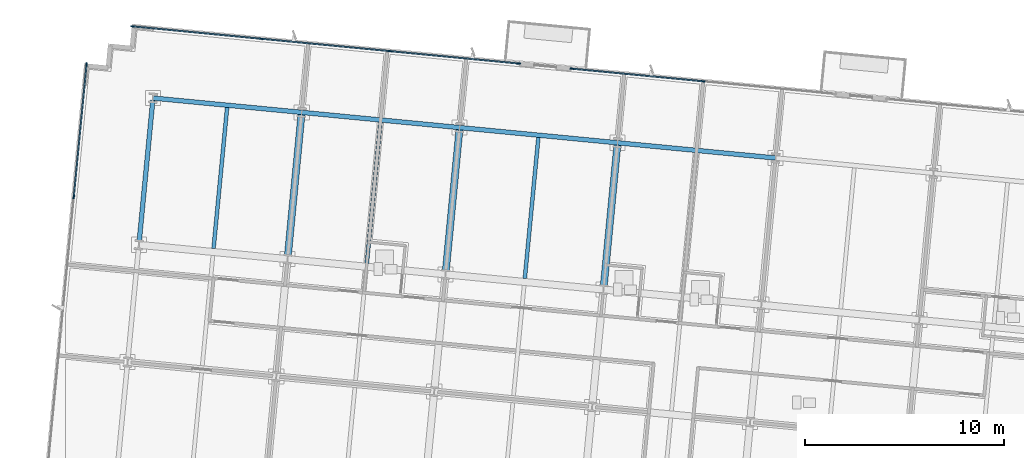
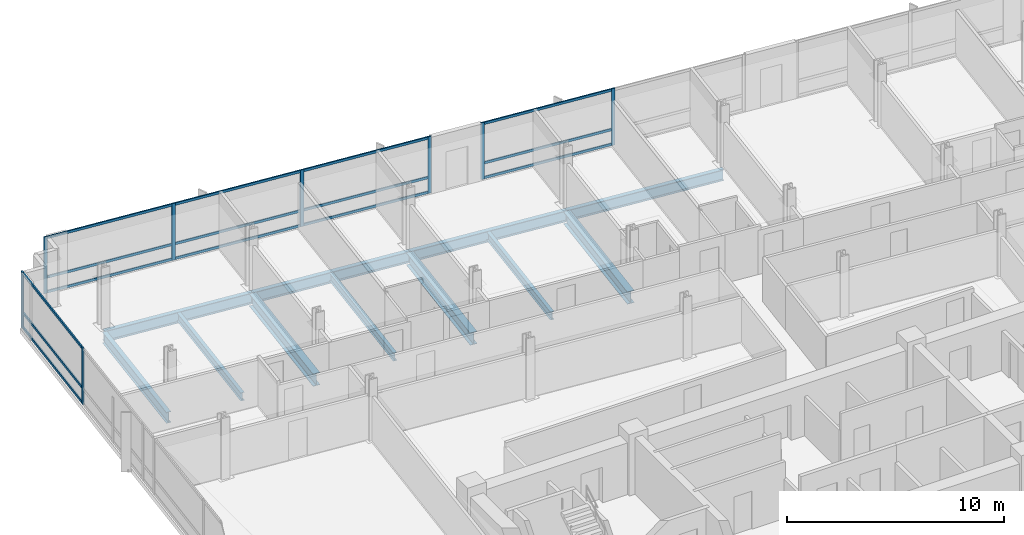
# One storey, part 7 of 17: 23 members, 11 beams, 3 elements without a shape of their own.
"""IFC4 building model written with IfcOpenShell, lengths in metres."""

import ifcopenshell
import ifcopenshell.guid

model = None  # the IFC model being written
_history = None  # IfcOwnerHistory: only IFC2X3 demands one
_inside = {}  # id of a spatial element -> (the spatial element, [elements in it])
_under = {}  # id of a project, library or spatial element -> (it, [spatial elements below it])
_declared = {}  # id of a project -> (the project, [libraries it declares])
_typed = {}  # id of a type object -> (the type object, [elements of that type])
_made_of = {}  # id of a material, layer set ... -> (it, [elements and type objects made of it])


def new_model(schema):
    """Start an empty IFC model of exactly this schema.

    Asked for "IFC4X3", IfcOpenShell would pick the latest addendum, in which some entities
    have other attributes; the version numbers below select the first issue.
    IFC2X3 requires an IfcOwnerHistory on every rooted entity: one is made here for all.
    """
    global model, _history
    if schema == "IFC4X3":
        model = ifcopenshell.file(schema_version=(4, 3, 0, 0))
    else:
        model = ifcopenshell.file(schema=schema)
    _inside.clear()
    _under.clear()
    _declared.clear()
    _typed.clear()
    _made_of.clear()
    _history = None
    if model.schema == "IFC2X3":
        org = make("IfcOrganization", Name="unknown")
        user = make(
            "IfcPersonAndOrganization",
            ThePerson=make("IfcPerson", FamilyName="unknown"),
            TheOrganization=org,
        )
        app = make(
            "IfcApplication",
            ApplicationDeveloper=org,
            Version="unknown",
            ApplicationFullName="unknown",
            ApplicationIdentifier="unknown",
        )
        _history = make(
            "IfcOwnerHistory",
            OwningUser=user,
            OwningApplication=app,
            ChangeAction="ADDED",
            CreationDate=0,
        )
    return model


def make(cls, **values):
    """One entity of the class cls with the attributes given. An attribute that is None is left unset."""
    return model.create_entity(
        cls, **{name: value for name, value in values.items() if value is not None}
    )


def rooted(cls, **values):
    """An entity with a GlobalId (a new one), such as an element, a storey or a relation."""
    return make(cls, GlobalId=ifcopenshell.guid.new(), OwnerHistory=_history, **values)


def si_unit(unit_type, name, prefix=None):
    """IfcSIUnit, for example si_unit("LENGTHUNIT", "METRE", prefix="MILLI")."""
    return make("IfcSIUnit", UnitType=unit_type, Prefix=prefix, Name=name)


def assignment(units):
    """IfcUnitAssignment: the units of a project."""
    return None if units is None else make("IfcUnitAssignment", Units=units)


def point(xyz):
    """IfcCartesianPoint."""
    return None if xyz is None else make("IfcCartesianPoint", Coordinates=xyz)


def direction(xyz):
    """IfcDirection."""
    return None if xyz is None else make("IfcDirection", DirectionRatios=xyz)


def frame(location, z_axis=None, x_axis=None):
    """IfcAxis2Placement3D, a coordinate frame: its origin and axes. An axis left out is left unset."""
    return make(
        "IfcAxis2Placement3D",
        Location=point(location),
        Axis=direction(z_axis),
        RefDirection=direction(x_axis),
    )


def frame_2d(location, x_axis=None):
    """IfcAxis2Placement2D, a coordinate frame in the plane: its origin and x axis."""
    return make(
        "IfcAxis2Placement2D", Location=point(location), RefDirection=direction(x_axis)
    )


def origin():
    """The frame at (0, 0, 0) with its axes left unset."""
    return frame((0.0, 0.0, 0.0))


def origin_2d():
    """The frame at (0, 0) in the plane with its x axis left unset."""
    return frame_2d((0.0, 0.0))


def place(relative_to, where):
    """IfcLocalPlacement: puts the frame where relative to a parent placement (None: the world)."""
    return make(
        "IfcLocalPlacement", PlacementRelTo=relative_to, RelativePlacement=where
    )


def context(
    kind, dimensions, precision=None, world=None, true_north=None, identifier=None
):
    """IfcGeometricRepresentationContext, for example the 3D "Model" context."""
    return make(
        "IfcGeometricRepresentationContext",
        ContextIdentifier=identifier,
        ContextType=kind,
        CoordinateSpaceDimension=dimensions,
        Precision=precision,
        WorldCoordinateSystem=world,
        TrueNorth=true_north,
    )


def subcontext(parent, identifier, kind, view, scale=None):
    """IfcGeometricRepresentationSubContext, for example "Body" below "Model"."""
    return make(
        "IfcGeometricRepresentationSubContext",
        ContextIdentifier=identifier,
        ContextType=kind,
        ParentContext=parent,
        TargetScale=scale,
        TargetView=view,
    )


def project(units=None, contexts=None):
    """IfcProject with its units and contexts."""
    return rooted(
        "IfcProject",
        Name="project",
        RepresentationContexts=contexts,
        UnitsInContext=assignment(units),
    )


def spatial(cls, under=None, at=None, **own):
    """A site, building, storey or space (cls), placed at a placement, below another one or the project."""
    s = rooted(cls, ObjectPlacement=at, **own)
    if under is not None:
        _under.setdefault(under.id(), (under, []))[1].append(s)
    return s


def profile(cls, at=None, kind="AREA", **sizes):
    """A parametric profile (cls). Its sizes go by their IFC names, for example OverallWidth=200.0."""
    return make(cls, ProfileType=kind, Position=at, **sizes)


def rectangle(**sizes):
    """IfcRectangleProfileDef."""
    return profile("IfcRectangleProfileDef", **sizes)


def i_section(**sizes):
    """IfcIShapeProfileDef."""
    return profile("IfcIShapeProfileDef", **sizes)


def extrude(swept, where, along, depth):
    """IfcExtrudedAreaSolid: the profile swept, set in the frame where, extruded along a direction by depth."""
    return make(
        "IfcExtrudedAreaSolid",
        SweptArea=swept,
        Position=where,
        ExtrudedDirection=direction(along),
        Depth=depth,
    )


def shape(context_of_items, identifier, shape_type, items):
    """IfcShapeRepresentation: the items that make up one representation, for example the "Body"."""
    return make(
        "IfcShapeRepresentation",
        ContextOfItems=context_of_items,
        RepresentationIdentifier=identifier,
        RepresentationType=shape_type,
        Items=items,
    )


def material(Name=None, Category=None):
    """IfcMaterial."""
    return make("IfcMaterial", Name=Name, Category=Category)


def material_profile(
    of_material, cross_section, Name=None, Category=None, Priority=None
):
    """IfcMaterialProfile: a cross section and its material."""
    return make(
        "IfcMaterialProfile",
        Name=Name,
        Material=of_material,
        Profile=cross_section,
        Priority=Priority,
        Category=Category,
    )


def profile_set(profiles, Name=None, composite=None):
    """IfcMaterialProfileSet."""
    return make(
        "IfcMaterialProfileSet",
        Name=Name,
        MaterialProfiles=profiles,
        CompositeProfile=composite,
    )


def made_of(thing, what):
    """Note that an element or type object is made of a material, layer set ...; save() writes the relation."""
    if what is not None:
        _made_of.setdefault(what.id(), (what, []))[1].append(thing)
    return thing


def type_object(cls, material=None, **own):
    """A type object (cls), such as IfcWallType, which elements share."""
    return made_of(rooted(cls, **own), material)


def element(
    cls,
    number,
    at=None,
    inside=None,
    cuts=None,
    type_object=None,
    material=None,
    context=None,
    identifier="Body",
    shape_type=None,
    held_by="IfcProductDefinitionShape",
    body=None,
    shapes=None,
    **own,
):
    """One element of the class cls, such as IfcWall. Its Tag is "e" and its number.

    at: its placement. inside: the storey or other place that contains it. cuts: it is an
    opening in that element (IfcRelVoidsElement). A single representation is given by context,
    identifier, shape_type and body (its items); several are given by shapes. held_by: the class
    of the entity that holds the representations. save() writes the other relations.
    """
    e = rooted(cls, Tag="e%d" % number, ObjectPlacement=at, **own)
    if body is not None:
        shapes = [shape(context, identifier, shape_type, body)]
    if shapes is not None:
        e.Representation = make(held_by, Representations=shapes)
    if inside is not None:
        _inside.setdefault(inside.id(), (inside, []))[1].append(e)
    if cuts is not None:
        rooted(
            "IfcRelVoidsElement", RelatingBuildingElement=cuts, RelatedOpeningElement=e
        )
    if type_object is not None:
        _typed.setdefault(type_object.id(), (type_object, []))[1].append(e)
    return made_of(e, material)


def aggregate(whole, parts):
    """IfcRelAggregates: a whole, such as a stair, and the parts it consists of."""
    return rooted("IfcRelAggregates", RelatingObject=whole, RelatedObjects=parts)


def save(model, path):
    """Write the relations noted so far, then the file.

    IfcRelAggregates (storeys below a building ...), IfcRelContainedInSpatialStructure (elements
    in a storey), IfcRelDefinesByType, IfcRelAssociatesMaterial and IfcRelDeclares: one each for
    every whole, place, type object, material and project.
    """
    for whole, parts in _under.values():
        aggregate(whole, parts)
    for where, things in _inside.values():
        rooted(
            "IfcRelContainedInSpatialStructure",
            RelatedElements=things,
            RelatingStructure=where,
        )
    for kind, things in _typed.values():
        rooted("IfcRelDefinesByType", RelatedObjects=things, RelatingType=kind)
    for what, things in _made_of.values():
        rooted("IfcRelAssociatesMaterial", RelatedObjects=things, RelatingMaterial=what)
    for by, libraries in _declared.values():
        rooted("IfcRelDeclares", RelatingContext=by, RelatedDefinitions=libraries)
    model.write(path)


model = new_model("IFC4")

# Units and contexts
model_context = context("Model", 3, precision=1e-05, world=origin(), true_north=direction((0.0, 1.0)))
body_context = subcontext(model_context, "Body", "Model", "MODEL_VIEW")
ifc_project = project(units=[si_unit("LENGTHUNIT", "METRE"), si_unit("AREAUNIT", "SQUARE_METRE"), si_unit("VOLUMEUNIT", "CUBIC_METRE"), si_unit("PLANEANGLEUNIT", "RADIAN"), si_unit("MASSUNIT", "GRAM", prefix="KILO")], contexts=[model_context])

# Site, building, storey
site_placement = place(None, origin())
site = spatial("IfcSite", under=ifc_project, at=site_placement, CompositionType="ELEMENT")
building_placement = place(site_placement, origin())
building = spatial("IfcBuilding", under=site, at=building_placement, Name="Solmavex Isthmus Hotel", CompositionType="ELEMENT")
storey_placement = place(building_placement, frame((0.0, 0.0, 173.85009765625)))
storey = spatial("IfcBuildingStorey", under=building, at=storey_placement, Name="L47", CompositionType="ELEMENT", Elevation=173.85009765625)

# Beams
ifc_material_1 = material(Name="Steel ASTM A992 Grade 50", Category="steel")
ifc_material_profile_1 = material_profile(ifc_material_1, i_section(OverallWidth=0.354736328125, OverallDepth=0.695556640625, WebThickness=0.015380859375, FlangeThickness=0.02490234375, FilletRadius=0.017822265625, at=origin_2d()), Name="W27X146")
ifc_profile_set_1 = profile_set([ifc_material_profile_1], Name="Steel ASTM A992 Grade 50")
beam_type_1 = type_object("IfcBeamType", Name="BM-BG-W27X146", PredefinedType="BEAM", material=ifc_profile_set_1)
beam_1_placement = place(storey_placement, frame((-15.254150390625, 13.07275390625, -0.60791015625), z_axis=(0.095839524498, 0.995396798038, 0.0), x_axis=(-0.995396798038, 0.095839524498, 0.0)))
element("IfcBeam", 1, at=beam_1_placement, inside=storey, type_object=beam_type_1, Name="Floor Beam L47-VG26", PredefinedType="BEAM", context=body_context, shape_type="SweptSolid", body=[
    extrude(i_section(OverallWidth=0.354736328125, OverallDepth=0.695556640625, WebThickness=0.015380859375, FlangeThickness=0.02490234375, FilletRadius=0.017822265625, at=origin_2d()), origin(), (0.0, 0.0, 1.0), 7.099609375),
])
beam_2_placement = place(storey_placement, frame((-7.3349609375, 12.310302734375, -0.60791015625), z_axis=(0.09587687835, 0.9953932008, 0.0), x_axis=(-0.9953932008, 0.09587687835, 0.0)))
element("IfcBeam", 2, at=beam_2_placement, inside=storey, type_object=beam_type_1, Name="Floor Beam L47-VG29", PredefinedType="BEAM", context=body_context, shape_type="SweptSolid", body=[
    extrude(i_section(OverallWidth=0.354736328125, OverallDepth=0.695556640625, WebThickness=0.015380859375, FlangeThickness=0.02490234375, FilletRadius=0.017822265625, at=origin_2d()), origin(), (0.0, 0.0, 1.0), 7.099365234375),
])
beam_3_placement = place(storey_placement, frame((0.58447265625, 11.547607421875, -0.60791015625), z_axis=(0.095839524498, 0.995396798038, 0.0), x_axis=(-0.995396798038, 0.095839524498, 0.0)))
element("IfcBeam", 3, at=beam_3_placement, inside=storey, type_object=beam_type_1, Name="Floor Beam L47-VG32", PredefinedType="BEAM", context=body_context, shape_type="SweptSolid", body=[
    extrude(i_section(OverallWidth=0.354736328125, OverallDepth=0.695556640625, WebThickness=0.015380859375, FlangeThickness=0.02490234375, FilletRadius=0.017822265625, at=origin_2d()), origin(), (0.0, 0.0, 1.0), 7.099609375),
])
ifc_material_profile_2 = material_profile(ifc_material_1, i_section(OverallWidth=0.1904296875, OverallDepth=0.456787109375, WebThickness=0.009033203125, FlangeThickness=0.014404296875, FilletRadius=0.0126953125, at=origin_2d()), Name="W18X50")
ifc_profile_set_2 = profile_set([ifc_material_profile_2], Name="Steel ASTM A992 Grade 50")
beam_type_2 = type_object("IfcBeamType", Name="BM-BJ-W18X50", PredefinedType="JOIST", material=ifc_profile_set_2)
for number, where, z_axis, x_axis, name in (
    (4, (-18.98095703125, 13.431640625, -0.488525390625), (0.095842805175, 0.99539648216, 0.0), (-0.99539648216, 0.095842805175, 0.0), "Secondary Floor Joist L47-J03"),
    (5, (-11.29443359375, 12.691650390625, -0.488525390625), (0.095842805175, 0.99539648216, 0.0), (-0.99539648216, 0.095842805175, 0.0), "Secondary Floor Joist L47-J06"),
    (6, (-3.375244140625, 11.928955078125, -0.488525390625), (0.09587687835, 0.9953932008, 0.0), (-0.9953932008, 0.09587687835, 0.0), "Secondary Floor Joist L47-J09"),
):
    element("IfcBeam", number, at=place(storey_placement, frame(where, z_axis=z_axis, x_axis=x_axis)), inside=storey, type_object=beam_type_2, Name=name, PredefinedType="JOIST", context=body_context, shape_type="SweptSolid", body=[
        extrude(i_section(OverallWidth=0.1904296875, OverallDepth=0.456787109375, WebThickness=0.009033203125, FlangeThickness=0.014404296875, FilletRadius=0.0126953125, at=origin_2d()), origin(), (0.0, 0.0, 1.0), 7.099365234375),
    ])
ifc_material_profile_3 = material_profile(ifc_material_1, i_section(OverallWidth=0.230224609375, OverallDepth=0.617431640625, WebThickness=0.01318359375, FlangeThickness=0.022216796875, FilletRadius=0.01513671875, at=origin_2d()), Name="W24X94")
ifc_profile_set_3 = profile_set([ifc_material_profile_3], Name="Steel ASTM A992 Grade 50")
beam_type_3 = type_object("IfcBeamType", Name="BM-SP-W24X94", PredefinedType="SPANDREL", material=ifc_profile_set_3)
beam_4_placement = place(storey_placement, frame((-22.016357421875, 20.971923828125, -0.56884765625), z_axis=(0.995395279593, -0.095855293875, 0.0), x_axis=(0.095855293875, 0.995395279593, 0.0)))
element("IfcBeam", 7, at=beam_4_placement, inside=storey, type_object=beam_type_3, Name="Floor Girder L47-UG15", PredefinedType="SPANDREL", context=body_context, shape_type="SweptSolid", body=[
    extrude(i_section(OverallWidth=0.230224609375, OverallDepth=0.617431640625, WebThickness=0.01318359375, FlangeThickness=0.022216796875, FilletRadius=0.01513671875, at=origin_2d()), origin(), (0.0, 0.0, 1.0), 7.488037109375),
])
for number, where, z_axis, x_axis, name in (
    (8, (-14.562744140625, 20.254150390625, -0.56884765625), (0.995397440011, -0.095832856685, 0.0), (0.095832856685, 0.995397440011, 0.0), "Floor Girder L47-UG16"),
    (9, (-6.643310546875, 19.49169921875, -0.56884765625), (0.995394512348, -0.095863260885, 0.0), (0.095863260885, 0.995394512348, 0.0), "Floor Girder L47-UG17"),
):
    element("IfcBeam", number, at=place(storey_placement, frame(where, z_axis=z_axis, x_axis=x_axis)), inside=storey, type_object=beam_type_3, Name=name, PredefinedType="SPANDREL", context=body_context, shape_type="SweptSolid", body=[
        extrude(i_section(OverallWidth=0.230224609375, OverallDepth=0.617431640625, WebThickness=0.01318359375, FlangeThickness=0.022216796875, FilletRadius=0.01513671875, at=origin_2d()), origin(), (0.0, 0.0, 1.0), 7.9560546875),
    ])
beam_5_placement = place(storey_placement, frame((1.276123046875, 18.72900390625, -0.56884765625), z_axis=(0.995397158178, -0.095835783981, 0.0), x_axis=(0.095835783981, 0.995397158178, 0.0)))
element("IfcBeam", 10, at=beam_5_placement, inside=storey, type_object=beam_type_3, Name="Floor Girder L47-UG18", PredefinedType="SPANDREL", context=body_context, shape_type="SweptSolid", body=[
    extrude(i_section(OverallWidth=0.230224609375, OverallDepth=0.617431640625, WebThickness=0.01318359375, FlangeThickness=0.022216796875, FilletRadius=0.01513671875, at=origin_2d()), origin(), (0.0, 0.0, 1.0), 7.955810546875),
])
beam_6_placement = place(storey_placement, frame((-22.707763671875, 13.79052734375, -0.56884765625), z_axis=(0.095842805175, 0.99539648216, 0.0), x_axis=(-0.99539648216, 0.095842805175, 0.0)))
element("IfcBeam", 11, at=beam_6_placement, inside=storey, type_object=beam_type_3, Name="Floor Beam L47-VG23", PredefinedType="SPANDREL", context=body_context, shape_type="SweptSolid", body=[
    extrude(i_section(OverallWidth=0.230224609375, OverallDepth=0.617431640625, WebThickness=0.01318359375, FlangeThickness=0.022216796875, FilletRadius=0.01513671875, at=origin_2d()), origin(), (0.0, 0.0, 1.0), 7.099365234375),
])

# Curtain wall, members
ifc_material_2 = material(Name="Aluminium alloy 6063-T6", Category="aluminium")
curtain_wall_type = type_object("IfcCurtainWallType", Name="CW-SYS-03", PredefinedType="NOTDEFINED", material=ifc_material_2)
curtain_wall_1_placement = place(storey_placement, origin())
curtain_wall_1 = element("IfcCurtainWall", 12, at=curtain_wall_1_placement, inside=storey, type_object=curtain_wall_type, Name="Stick Curtain Wall CWL-L47-N1", PredefinedType="NOTDEFINED")
ifc_material_profile_4 = material_profile(ifc_material_2, rectangle(XDim=0.070068359375, YDim=0.179931640625, at=origin_2d()), Name="CWM-70X180")
ifc_profile_set_4 = profile_set([ifc_material_profile_4], Name="Aluminium alloy 6063-T6")
member_type_1 = type_object("IfcMemberType", Name="CW-SYS-03-MUL", PredefinedType="MULLION", material=ifc_profile_set_4)
member_1_placement = place(storey_placement, frame((-23.04150390625, 24.566650390625, 0.0), z_axis=(0.0, 0.0, 1.0), x_axis=(0.095845686434, 0.995396204731, 0.0)))
member_1 = element("IfcMember", 13, at=member_1_placement, type_object=member_type_1, Name="CW-03 mullion 1", PredefinedType="MULLION", context=body_context, shape_type="SweptSolid", body=[
    extrude(rectangle(XDim=0.070068359375, YDim=0.179931640625, at=origin_2d()), origin(), (0.0, 0.0, 1.0), 3.18994140625),
])
member_2_placement = place(storey_placement, frame((-16.598876953125, 23.9462890625, 0.0), z_axis=(0.0, 0.0, 1.0), x_axis=(0.095845686434, 0.995396204731, 0.0)))
member_2 = element("IfcMember", 14, at=member_2_placement, type_object=member_type_1, Name="CW-03 mullion 2", PredefinedType="MULLION", context=body_context, shape_type="SweptSolid", body=[
    extrude(rectangle(XDim=0.070068359375, YDim=0.179931640625, at=origin_2d()), origin(), (0.0, 0.0, 1.0), 3.18994140625),
])
member_3_placement = place(storey_placement, frame((-10.12158203125, 23.32275390625, 0.0), z_axis=(0.0, 0.0, 1.0), x_axis=(0.095845686434, 0.995396204731, 0.0)))
member_3 = element("IfcMember", 15, at=member_3_placement, type_object=member_type_1, Name="CW-03 mullion 3", PredefinedType="MULLION", context=body_context, shape_type="SweptSolid", body=[
    extrude(rectangle(XDim=0.070068359375, YDim=0.179931640625, at=origin_2d()), origin(), (0.0, 0.0, 1.0), 3.18994140625),
])
member_4_placement = place(storey_placement, frame((-3.678955078125, 22.702392578125, 0.0), z_axis=(0.0, 0.0, 1.0), x_axis=(0.095845686434, 0.995396204731, 0.0)))
member_4 = element("IfcMember", 16, at=member_4_placement, type_object=member_type_1, Name="CW-03 mullion 4", PredefinedType="MULLION", context=body_context, shape_type="SweptSolid", body=[
    extrude(rectangle(XDim=0.070068359375, YDim=0.179931640625, at=origin_2d()), origin(), (0.0, 0.0, 1.0), 3.18994140625),
])

curtain_wall_2_placement = place(storey_placement, origin())
curtain_wall_2 = element("IfcCurtainWall", 17, at=curtain_wall_2_placement, inside=storey, type_object=curtain_wall_type, Name="Stick Curtain Wall CWL-L47-N2", PredefinedType="NOTDEFINED")
member_5_placement = place(storey_placement, frame((-1.021240234375, 22.4462890625, 0.0), z_axis=(0.0, 0.0, 1.0), x_axis=(0.095845138178, 0.995396257521, 0.0)))
member_5 = element("IfcMember", 18, at=member_5_placement, type_object=member_type_1, Name="CW-03 mullion 1", PredefinedType="MULLION", context=body_context, shape_type="SweptSolid", body=[
    extrude(rectangle(XDim=0.070068359375, YDim=0.179931640625, at=origin_2d()), origin(), (0.0, 0.0, 1.0), 3.18994140625),
])
member_6_placement = place(storey_placement, frame((5.5693359375, 21.811767578125, 0.0), z_axis=(0.0, 0.0, 1.0), x_axis=(0.095845138178, 0.995396257521, 0.0)))
member_6 = element("IfcMember", 19, at=member_6_placement, type_object=member_type_1, Name="CW-03 mullion 2", PredefinedType="MULLION", context=body_context, shape_type="SweptSolid", body=[
    extrude(rectangle(XDim=0.070068359375, YDim=0.179931640625, at=origin_2d()), origin(), (0.0, 0.0, 1.0), 3.18994140625),
])

curtain_wall_3_placement = place(storey_placement, origin())
curtain_wall_3 = element("IfcCurtainWall", 20, at=curtain_wall_3_placement, inside=storey, type_object=curtain_wall_type, Name="Stick Curtain Wall CWL-L47-W1", PredefinedType="NOTDEFINED")
member_7_placement = place(storey_placement, frame((-25.990234375, 16.010009765625, 0.0), z_axis=(0.0, 0.0, 1.0), x_axis=(-0.995396190038, 0.09584583902, 0.0)))
member_7 = element("IfcMember", 21, at=member_7_placement, type_object=member_type_1, Name="CW-03 mullion 5", PredefinedType="MULLION", context=body_context, shape_type="SweptSolid", body=[
    extrude(rectangle(XDim=0.070068359375, YDim=0.179931640625, at=origin_2d()), origin(), (0.0, 0.0, 1.0), 3.18994140625),
])
member_8_placement = place(storey_placement, frame((-25.349365234375, 22.6640625, 0.0), z_axis=(0.0, 0.0, 1.0), x_axis=(-0.995396190038, 0.09584583902, 0.0)))
member_8 = element("IfcMember", 22, at=member_8_placement, type_object=member_type_1, Name="CW-03 mullion 6", PredefinedType="MULLION", context=body_context, shape_type="SweptSolid", body=[
    extrude(rectangle(XDim=0.070068359375, YDim=0.179931640625, at=origin_2d()), origin(), (0.0, 0.0, 1.0), 3.18994140625),
])

# Member
ifc_material_profile_5 = material_profile(ifc_material_2, rectangle(XDim=0.070068359375, YDim=0.139892578125, at=origin_2d()), Name="CWT-70X140")
ifc_profile_set_5 = profile_set([ifc_material_profile_5], Name="Aluminium alloy 6063-T6")
member_type_2 = type_object("IfcMemberType", Name="CW-SYS-03-TRN", PredefinedType="USERDEFINED", material=ifc_profile_set_5)
member_9_placement = place(storey_placement, frame((-23.006591796875, 24.563232421875, 0.06982421875), z_axis=(0.995397773623, -0.095829391454, 0.0), x_axis=(0.095829391454, 0.995397773623, 0.0)))
member_9 = element("IfcMember", 23, at=member_9_placement, type_object=member_type_2, Name="CW-03 transom 1.1", ObjectType="TRANSOM", PredefinedType="USERDEFINED", context=body_context, shape_type="SweptSolid", body=[
    extrude(rectangle(XDim=0.070068359375, YDim=0.139892578125, at=origin_2d()), origin(), (0.0, 0.0, 1.0), 6.40234375),
])

member_10_placement = place(storey_placement, frame((-23.006591796875, 24.563232421875, 0.89990234375), z_axis=(0.995397773623, -0.095829391454, 0.0), x_axis=(0.095829391454, 0.995397773623, 0.0)))
member_10 = element("IfcMember", 24, at=member_10_placement, type_object=member_type_2, Name="CW-03 transom 1.2", ObjectType="TRANSOM", PredefinedType="USERDEFINED", context=body_context, shape_type="SweptSolid", body=[
    extrude(rectangle(XDim=0.070068359375, YDim=0.139892578125, at=origin_2d()), origin(), (0.0, 0.0, 1.0), 6.40234375),
])

member_11_placement = place(storey_placement, frame((-23.006591796875, 24.563232421875, 3.119873046875), z_axis=(0.995397773623, -0.095829391454, 0.0), x_axis=(0.095829391454, 0.995397773623, 0.0)))
member_11 = element("IfcMember", 25, at=member_11_placement, type_object=member_type_2, Name="CW-03 transom 1.3", ObjectType="TRANSOM", PredefinedType="USERDEFINED", context=body_context, shape_type="SweptSolid", body=[
    extrude(rectangle(XDim=0.070068359375, YDim=0.139892578125, at=origin_2d()), origin(), (0.0, 0.0, 1.0), 6.40234375),
])

member_12_placement = place(storey_placement, frame((-16.56396484375, 23.943115234375, 0.06982421875), z_axis=(0.995393311839, -0.095875725533, 0.0), x_axis=(0.095875725533, 0.995393311839, 0.0)))
member_12 = element("IfcMember", 26, at=member_12_placement, type_object=member_type_2, Name="CW-03 transom 2.1", ObjectType="TRANSOM", PredefinedType="USERDEFINED", context=body_context, shape_type="SweptSolid", body=[
    extrude(rectangle(XDim=0.070068359375, YDim=0.139892578125, at=origin_2d()), origin(), (0.0, 0.0, 1.0), 6.437255859375),
])

member_13_placement = place(storey_placement, frame((-16.56396484375, 23.943115234375, 0.89990234375), z_axis=(0.995393311839, -0.095875725533, 0.0), x_axis=(0.095875725533, 0.995393311839, 0.0)))
member_13 = element("IfcMember", 27, at=member_13_placement, type_object=member_type_2, Name="CW-03 transom 2.2", ObjectType="TRANSOM", PredefinedType="USERDEFINED", context=body_context, shape_type="SweptSolid", body=[
    extrude(rectangle(XDim=0.070068359375, YDim=0.139892578125, at=origin_2d()), origin(), (0.0, 0.0, 1.0), 6.437255859375),
])

member_14_placement = place(storey_placement, frame((-16.56396484375, 23.943115234375, 3.119873046875), z_axis=(0.995393311839, -0.095875725533, 0.0), x_axis=(0.095875725533, 0.995393311839, 0.0)))
member_14 = element("IfcMember", 28, at=member_14_placement, type_object=member_type_2, Name="CW-03 transom 2.3", ObjectType="TRANSOM", PredefinedType="USERDEFINED", context=body_context, shape_type="SweptSolid", body=[
    extrude(rectangle(XDim=0.070068359375, YDim=0.139892578125, at=origin_2d()), origin(), (0.0, 0.0, 1.0), 6.437255859375),
])

member_15_placement = place(storey_placement, frame((-10.086669921875, 23.3193359375, 0.06982421875), z_axis=(0.995394135431, -0.095867174519, 0.0), x_axis=(0.095867174519, 0.995394135431, 0.0)))
member_15 = element("IfcMember", 29, at=member_15_placement, type_object=member_type_2, Name="CW-03 transom 3.1", ObjectType="TRANSOM", PredefinedType="USERDEFINED", context=body_context, shape_type="SweptSolid", body=[
    extrude(rectangle(XDim=0.070068359375, YDim=0.139892578125, at=origin_2d()), origin(), (0.0, 0.0, 1.0), 6.40234375),
])

member_16_placement = place(storey_placement, frame((-10.086669921875, 23.3193359375, 0.89990234375), z_axis=(0.995394135431, -0.095867174519, 0.0), x_axis=(0.095867174519, 0.995394135431, 0.0)))
member_16 = element("IfcMember", 30, at=member_16_placement, type_object=member_type_2, Name="CW-03 transom 3.2", ObjectType="TRANSOM", PredefinedType="USERDEFINED", context=body_context, shape_type="SweptSolid", body=[
    extrude(rectangle(XDim=0.070068359375, YDim=0.139892578125, at=origin_2d()), origin(), (0.0, 0.0, 1.0), 6.40234375),
])

member_17_placement = place(storey_placement, frame((-10.086669921875, 23.3193359375, 3.119873046875), z_axis=(0.995394135431, -0.095867174519, 0.0), x_axis=(0.095867174519, 0.995394135431, 0.0)))
member_17 = element("IfcMember", 31, at=member_17_placement, type_object=member_type_2, Name="CW-03 transom 3.3", ObjectType="TRANSOM", PredefinedType="USERDEFINED", context=body_context, shape_type="SweptSolid", body=[
    extrude(rectangle(XDim=0.070068359375, YDim=0.139892578125, at=origin_2d()), origin(), (0.0, 0.0, 1.0), 6.40234375),
])

aggregate(curtain_wall_1, [member_1, member_2, member_3, member_4, member_9, member_10, member_11, member_12, member_13, member_14, member_15, member_16, member_17])

member_18_placement = place(storey_placement, frame((-0.986328125, 22.443115234375, 0.06982421875), z_axis=(0.995395431006, -0.095853721538, 0.0), x_axis=(0.095853721538, 0.995395431006, 0.0)))
member_18 = element("IfcMember", 32, at=member_18_placement, type_object=member_type_2, Name="CW-03 transom 1.1", ObjectType="TRANSOM", PredefinedType="USERDEFINED", context=body_context, shape_type="SweptSolid", body=[
    extrude(rectangle(XDim=0.070068359375, YDim=0.139892578125, at=origin_2d()), origin(), (0.0, 0.0, 1.0), 6.551025390625),
])

member_19_placement = place(storey_placement, frame((-0.986328125, 22.443115234375, 0.89990234375), z_axis=(0.995395431006, -0.095853721538, 0.0), x_axis=(0.095853721538, 0.995395431006, 0.0)))
member_19 = element("IfcMember", 33, at=member_19_placement, type_object=member_type_2, Name="CW-03 transom 1.2", ObjectType="TRANSOM", PredefinedType="USERDEFINED", context=body_context, shape_type="SweptSolid", body=[
    extrude(rectangle(XDim=0.070068359375, YDim=0.139892578125, at=origin_2d()), origin(), (0.0, 0.0, 1.0), 6.551025390625),
])

member_20_placement = place(storey_placement, frame((-0.986328125, 22.443115234375, 3.119873046875), z_axis=(0.995395431006, -0.095853721538, 0.0), x_axis=(0.095853721538, 0.995395431006, 0.0)))
member_20 = element("IfcMember", 34, at=member_20_placement, type_object=member_type_2, Name="CW-03 transom 1.3", ObjectType="TRANSOM", PredefinedType="USERDEFINED", context=body_context, shape_type="SweptSolid", body=[
    extrude(rectangle(XDim=0.070068359375, YDim=0.139892578125, at=origin_2d()), origin(), (0.0, 0.0, 1.0), 6.551025390625),
])

aggregate(curtain_wall_2, [member_5, member_6, member_18, member_19, member_20])

member_21_placement = place(storey_placement, frame((-25.98681640625, 16.044677734375, 0.06982421875), z_axis=(0.095845316679, 0.995396240334, 0.0), x_axis=(-0.995396240334, 0.095845316679, 0.0)))
member_21 = element("IfcMember", 35, at=member_21_placement, type_object=member_type_2, Name="CW-03 transom 5.1", ObjectType="TRANSOM", PredefinedType="USERDEFINED", context=body_context, shape_type="SweptSolid", body=[
    extrude(rectangle(XDim=0.070068359375, YDim=0.139892578125, at=origin_2d()), origin(), (0.0, 0.0, 1.0), 6.615234375),
])

member_22_placement = place(storey_placement, frame((-25.98681640625, 16.044677734375, 0.89990234375), z_axis=(0.095845316679, 0.995396240334, 0.0), x_axis=(-0.995396240334, 0.095845316679, 0.0)))
member_22 = element("IfcMember", 36, at=member_22_placement, type_object=member_type_2, Name="CW-03 transom 5.2", ObjectType="TRANSOM", PredefinedType="USERDEFINED", context=body_context, shape_type="SweptSolid", body=[
    extrude(rectangle(XDim=0.070068359375, YDim=0.139892578125, at=origin_2d()), origin(), (0.0, 0.0, 1.0), 6.615234375),
])

member_23_placement = place(storey_placement, frame((-25.98681640625, 16.044677734375, 3.119873046875), z_axis=(0.095845316679, 0.995396240334, 0.0), x_axis=(-0.995396240334, 0.095845316679, 0.0)))
member_23 = element("IfcMember", 37, at=member_23_placement, type_object=member_type_2, Name="CW-03 transom 5.3", ObjectType="TRANSOM", PredefinedType="USERDEFINED", context=body_context, shape_type="SweptSolid", body=[
    extrude(rectangle(XDim=0.070068359375, YDim=0.139892578125, at=origin_2d()), origin(), (0.0, 0.0, 1.0), 6.615234375),
])

aggregate(curtain_wall_3, [member_7, member_8, member_21, member_22, member_23])

save(model, "model.ifc")
